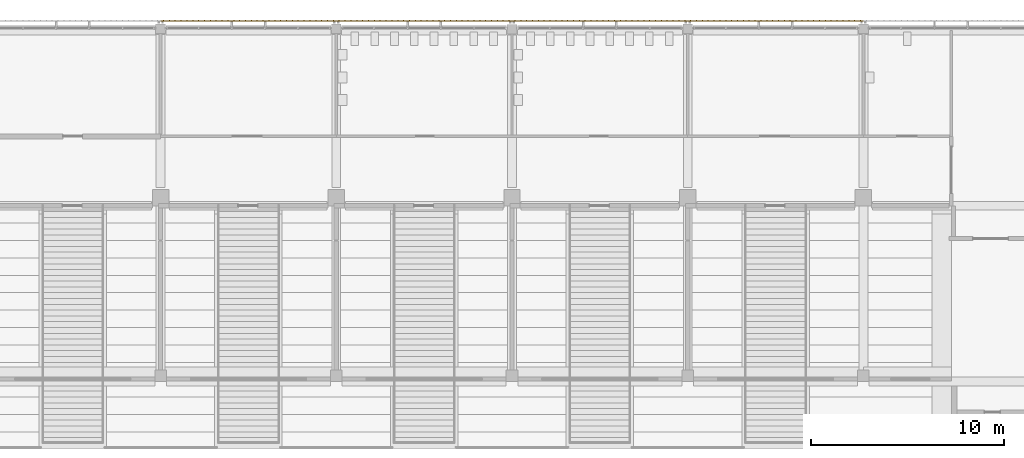
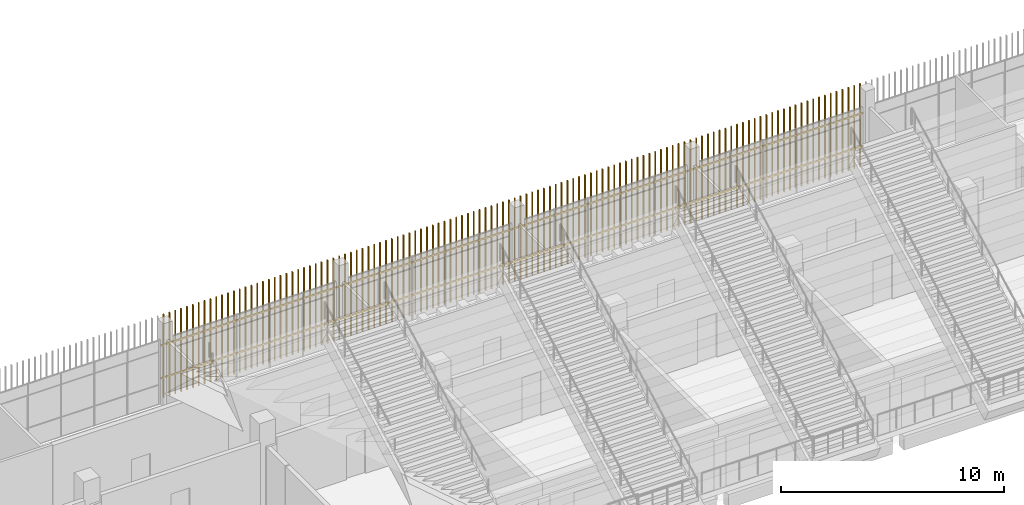
# One storey, part 128 of 139: 4 shading devices.
"""IFC4 building model written with IfcOpenShell, lengths in metres."""

from ifc_helpers import new_model, si_unit, direction, frame, origin, origin_2d, place, context, subcontext, project, spatial, rectangle, extrude, material, type_object, element, save


model = new_model("IFC4")

# Units and contexts
model_context = context("Model", 3, precision=1e-05, world=origin(), true_north=direction((0.0, 1.0)))
body_context = subcontext(model_context, "Body", "Model", "MODEL_VIEW")
ifc_project = project(units=[si_unit("LENGTHUNIT", "METRE"), si_unit("AREAUNIT", "SQUARE_METRE"), si_unit("VOLUMEUNIT", "CUBIC_METRE"), si_unit("PLANEANGLEUNIT", "RADIAN"), si_unit("MASSUNIT", "GRAM", prefix="KILO")], contexts=[model_context])

# Site, building, storey
site_placement = place(None, origin())
site = spatial("IfcSite", under=ifc_project, at=site_placement, CompositionType="ELEMENT")
building_placement = place(site_placement, origin())
building = spatial("IfcBuilding", under=site, at=building_placement, Name="Shirokan Park Arena", CompositionType="ELEMENT")
storey_placement = place(building_placement, frame((0.0, 0.0, 15.469970703125)))
storey = spatial("IfcBuildingStorey", under=building, at=storey_placement, Name="L03", CompositionType="ELEMENT", Elevation=15.469970703125)

# Shading devices
ifc_material = material(Name="Timber louvre veil (cedar)", Category="wood")
shading_device_type = type_object("IfcShadingDeviceType", Name="Timber louvre veil panel", PredefinedType="JALOUSIE", material=ifc_material)
shading_device_1_placement = place(storey_placement, origin())
element("IfcShadingDevice", 1, at=shading_device_1_placement, inside=storey, type_object=shading_device_type, Name="Timber louvre veil north bay 6 L03", PredefinedType="JALOUSIE", context=body_context, shape_type="SweptSolid", body=[
    extrude(rectangle(XDim=0.050048828125, YDim=0.080078125, at=origin_2d()), frame((99.9482421875, 109.68505859375, 0.0), z_axis=(0.0, 0.0, 1.0), x_axis=(-1.0, 0.0, 0.0)), (0.0, 0.0, 1.0), 4.550048828125),
    extrude(rectangle(XDim=0.050048828125, YDim=0.080078125, at=origin_2d()), frame((99.64501953125, 109.68505859375, 0.0), z_axis=(0.0, 0.0, 1.0), x_axis=(-1.0, 0.0, 0.0)), (0.0, 0.0, 1.0), 4.550048828125),
    extrude(rectangle(XDim=0.050048828125, YDim=0.080078125, at=origin_2d()), frame((99.341552734375, 109.68505859375, 0.0), z_axis=(0.0, 0.0, 1.0), x_axis=(-1.0, 0.0, 0.0)), (0.0, 0.0, 1.0), 4.550048828125),
    extrude(rectangle(XDim=0.050048828125, YDim=0.080078125, at=origin_2d()), frame((99.038330078125, 109.68505859375, 0.0), z_axis=(0.0, 0.0, 1.0), x_axis=(-1.0, 0.0, 0.0)), (0.0, 0.0, 1.0), 4.550048828125),
    extrude(rectangle(XDim=0.050048828125, YDim=0.080078125, at=origin_2d()), frame((98.735107421875, 109.68505859375, 0.0), z_axis=(0.0, 0.0, 1.0), x_axis=(-1.0, 0.0, 0.0)), (0.0, 0.0, 1.0), 4.550048828125),
    extrude(rectangle(XDim=0.050048828125, YDim=0.080078125, at=origin_2d()), frame((98.431640625, 109.68505859375, 0.0), z_axis=(0.0, 0.0, 1.0), x_axis=(-1.0, 0.0, 0.0)), (0.0, 0.0, 1.0), 4.550048828125),
    extrude(rectangle(XDim=0.050048828125, YDim=0.080078125, at=origin_2d()), frame((98.12841796875, 109.68505859375, 0.0), z_axis=(0.0, 0.0, 1.0), x_axis=(-1.0, 0.0, 0.0)), (0.0, 0.0, 1.0), 4.550048828125),
    extrude(rectangle(XDim=0.050048828125, YDim=0.080078125, at=origin_2d()), frame((97.824951171875, 109.68505859375, 0.0), z_axis=(0.0, 0.0, 1.0), x_axis=(-1.0, 0.0, 0.0)), (0.0, 0.0, 1.0), 4.550048828125),
    extrude(rectangle(XDim=0.050048828125, YDim=0.080078125, at=origin_2d()), frame((97.521728515625, 109.68505859375, 0.0), z_axis=(0.0, 0.0, 1.0), x_axis=(-1.0, 0.0, 0.0)), (0.0, 0.0, 1.0), 4.550048828125),
    extrude(rectangle(XDim=0.050048828125, YDim=0.080078125, at=origin_2d()), frame((97.21826171875, 109.68505859375, 0.0), z_axis=(0.0, 0.0, 1.0), x_axis=(-1.0, 0.0, 0.0)), (0.0, 0.0, 1.0), 4.550048828125),
    extrude(rectangle(XDim=0.050048828125, YDim=0.080078125, at=origin_2d()), frame((96.9150390625, 109.68505859375, 0.0), z_axis=(0.0, 0.0, 1.0), x_axis=(-1.0, 0.0, 0.0)), (0.0, 0.0, 1.0), 4.550048828125),
    extrude(rectangle(XDim=0.050048828125, YDim=0.080078125, at=origin_2d()), frame((96.611572265625, 109.68505859375, 0.0), z_axis=(0.0, 0.0, 1.0), x_axis=(-1.0, 0.0, 0.0)), (0.0, 0.0, 1.0), 4.550048828125),
    extrude(rectangle(XDim=0.050048828125, YDim=0.080078125, at=origin_2d()), frame((96.308349609375, 109.68505859375, 0.0), z_axis=(0.0, 0.0, 1.0), x_axis=(-1.0, 0.0, 0.0)), (0.0, 0.0, 1.0), 4.550048828125),
    extrude(rectangle(XDim=0.050048828125, YDim=0.080078125, at=origin_2d()), frame((96.0048828125, 109.68505859375, 0.0), z_axis=(0.0, 0.0, 1.0), x_axis=(-1.0, 0.0, 0.0)), (0.0, 0.0, 1.0), 4.550048828125),
    extrude(rectangle(XDim=0.050048828125, YDim=0.080078125, at=origin_2d()), frame((95.70166015625, 109.68505859375, 0.0), z_axis=(0.0, 0.0, 1.0), x_axis=(-1.0, 0.0, 0.0)), (0.0, 0.0, 1.0), 4.550048828125),
    extrude(rectangle(XDim=0.050048828125, YDim=0.080078125, at=origin_2d()), frame((95.3984375, 109.68505859375, 0.0), z_axis=(0.0, 0.0, 1.0), x_axis=(-1.0, 0.0, 0.0)), (0.0, 0.0, 1.0), 4.550048828125),
    extrude(rectangle(XDim=0.050048828125, YDim=0.080078125, at=origin_2d()), frame((95.094970703125, 109.68505859375, 0.0), z_axis=(0.0, 0.0, 1.0), x_axis=(-1.0, 0.0, 0.0)), (0.0, 0.0, 1.0), 4.550048828125),
    extrude(rectangle(XDim=0.050048828125, YDim=0.080078125, at=origin_2d()), frame((94.791748046875, 109.68505859375, 0.0), z_axis=(0.0, 0.0, 1.0), x_axis=(-1.0, 0.0, 0.0)), (0.0, 0.0, 1.0), 4.550048828125),
    extrude(rectangle(XDim=0.050048828125, YDim=0.080078125, at=origin_2d()), frame((94.48828125, 109.68505859375, 0.0), z_axis=(0.0, 0.0, 1.0), x_axis=(-1.0, 0.0, 0.0)), (0.0, 0.0, 1.0), 4.550048828125),
    extrude(rectangle(XDim=0.050048828125, YDim=0.080078125, at=origin_2d()), frame((94.18505859375, 109.68505859375, 0.0), z_axis=(0.0, 0.0, 1.0), x_axis=(-1.0, 0.0, 0.0)), (0.0, 0.0, 1.0), 4.550048828125),
    extrude(rectangle(XDim=0.050048828125, YDim=0.080078125, at=origin_2d()), frame((93.881591796875, 109.68505859375, 0.0), z_axis=(0.0, 0.0, 1.0), x_axis=(-1.0, 0.0, 0.0)), (0.0, 0.0, 1.0), 4.550048828125),
    extrude(rectangle(XDim=0.050048828125, YDim=0.080078125, at=origin_2d()), frame((93.578369140625, 109.68505859375, 0.0), z_axis=(0.0, 0.0, 1.0), x_axis=(-1.0, 0.0, 0.0)), (0.0, 0.0, 1.0), 4.550048828125),
    extrude(rectangle(XDim=0.050048828125, YDim=0.080078125, at=origin_2d()), frame((93.27490234375, 109.68505859375, 0.0), z_axis=(0.0, 0.0, 1.0), x_axis=(-1.0, 0.0, 0.0)), (0.0, 0.0, 1.0), 4.550048828125),
    extrude(rectangle(XDim=0.050048828125, YDim=0.080078125, at=origin_2d()), frame((92.9716796875, 109.68505859375, 0.0), z_axis=(0.0, 0.0, 1.0), x_axis=(-1.0, 0.0, 0.0)), (0.0, 0.0, 1.0), 4.550048828125),
    extrude(rectangle(XDim=0.050048828125, YDim=0.080078125, at=origin_2d()), frame((92.668212890625, 109.68505859375, 0.0), z_axis=(0.0, 0.0, 1.0), x_axis=(-1.0, 0.0, 0.0)), (0.0, 0.0, 1.0), 4.550048828125),
    extrude(rectangle(XDim=0.050048828125, YDim=0.080078125, at=origin_2d()), frame((92.364990234375, 109.68505859375, 0.0), z_axis=(0.0, 0.0, 1.0), x_axis=(-1.0, 0.0, 0.0)), (0.0, 0.0, 1.0), 4.550048828125),
    extrude(rectangle(XDim=0.050048828125, YDim=0.080078125, at=origin_2d()), frame((92.061767578125, 109.68505859375, 0.0), z_axis=(0.0, 0.0, 1.0), x_axis=(-1.0, 0.0, 0.0)), (0.0, 0.0, 1.0), 4.550048828125),
    extrude(rectangle(XDim=0.050048828125, YDim=0.080078125, at=origin_2d()), frame((91.75830078125, 109.68505859375, 0.0), z_axis=(0.0, 0.0, 1.0), x_axis=(-1.0, 0.0, 0.0)), (0.0, 0.0, 1.0), 4.550048828125),
    extrude(rectangle(XDim=0.050048828125, YDim=0.080078125, at=origin_2d()), frame((91.455078125, 109.68505859375, 0.0), z_axis=(0.0, 0.0, 1.0), x_axis=(-1.0, 0.0, 0.0)), (0.0, 0.0, 1.0), 4.550048828125),
    extrude(rectangle(XDim=0.050048828125, YDim=0.080078125, at=origin_2d()), frame((91.151611328125, 109.68505859375, 0.0), z_axis=(0.0, 0.0, 1.0), x_axis=(-1.0, 0.0, 0.0)), (0.0, 0.0, 1.0), 4.550048828125),
    extrude(rectangle(XDim=9.10009765625, YDim=0.050048828125, at=origin_2d()), frame((95.550048828125, 109.669921875, 1.06005859375), z_axis=(0.0, 0.0, 1.0), x_axis=(-1.0, 0.0, 0.0)), (0.0, 0.0, 1.0), 0.080078125),
    extrude(rectangle(XDim=9.10009765625, YDim=0.050048828125, at=origin_2d()), frame((95.550048828125, 109.669921875, 2.860107421875), z_axis=(0.0, 0.0, 1.0), x_axis=(-1.0, 0.0, 0.0)), (0.0, 0.0, 1.0), 0.080078125),
])
shading_device_2_placement = place(storey_placement, origin())
element("IfcShadingDevice", 2, at=shading_device_2_placement, inside=storey, type_object=shading_device_type, Name="Timber louvre veil north bay 7 L03", PredefinedType="JALOUSIE", context=body_context, shape_type="SweptSolid", body=[
    extrude(rectangle(XDim=0.050048828125, YDim=0.080078125, at=origin_2d()), frame((90.848388671875, 109.68505859375, 0.0), z_axis=(0.0, 0.0, 1.0), x_axis=(-1.0, 0.0, 0.0)), (0.0, 0.0, 1.0), 4.550048828125),
    extrude(rectangle(XDim=0.050048828125, YDim=0.080078125, at=origin_2d()), frame((90.544921875, 109.68505859375, 0.0), z_axis=(0.0, 0.0, 1.0), x_axis=(-1.0, 0.0, 0.0)), (0.0, 0.0, 1.0), 4.550048828125),
    extrude(rectangle(XDim=0.050048828125, YDim=0.080078125, at=origin_2d()), frame((90.24169921875, 109.68505859375, 0.0), z_axis=(0.0, 0.0, 1.0), x_axis=(-1.0, 0.0, 0.0)), (0.0, 0.0, 1.0), 4.550048828125),
    extrude(rectangle(XDim=0.050048828125, YDim=0.080078125, at=origin_2d()), frame((89.938232421875, 109.68505859375, 0.0), z_axis=(0.0, 0.0, 1.0), x_axis=(-1.0, 0.0, 0.0)), (0.0, 0.0, 1.0), 4.550048828125),
    extrude(rectangle(XDim=0.050048828125, YDim=0.080078125, at=origin_2d()), frame((89.635009765625, 109.68505859375, 0.0), z_axis=(0.0, 0.0, 1.0), x_axis=(-1.0, 0.0, 0.0)), (0.0, 0.0, 1.0), 4.550048828125),
    extrude(rectangle(XDim=0.050048828125, YDim=0.080078125, at=origin_2d()), frame((89.331787109375, 109.68505859375, 0.0), z_axis=(0.0, 0.0, 1.0), x_axis=(-1.0, 0.0, 0.0)), (0.0, 0.0, 1.0), 4.550048828125),
    extrude(rectangle(XDim=0.050048828125, YDim=0.080078125, at=origin_2d()), frame((89.0283203125, 109.68505859375, 0.0), z_axis=(0.0, 0.0, 1.0), x_axis=(-1.0, 0.0, 0.0)), (0.0, 0.0, 1.0), 4.550048828125),
    extrude(rectangle(XDim=0.050048828125, YDim=0.080078125, at=origin_2d()), frame((88.72509765625, 109.68505859375, 0.0), z_axis=(0.0, 0.0, 1.0), x_axis=(-1.0, 0.0, 0.0)), (0.0, 0.0, 1.0), 4.550048828125),
    extrude(rectangle(XDim=0.050048828125, YDim=0.080078125, at=origin_2d()), frame((88.421630859375, 109.68505859375, 0.0), z_axis=(0.0, 0.0, 1.0), x_axis=(-1.0, 0.0, 0.0)), (0.0, 0.0, 1.0), 4.550048828125),
    extrude(rectangle(XDim=0.050048828125, YDim=0.080078125, at=origin_2d()), frame((88.118408203125, 109.68505859375, 0.0), z_axis=(0.0, 0.0, 1.0), x_axis=(-1.0, 0.0, 0.0)), (0.0, 0.0, 1.0), 4.550048828125),
    extrude(rectangle(XDim=0.050048828125, YDim=0.080078125, at=origin_2d()), frame((87.81494140625, 109.68505859375, 0.0), z_axis=(0.0, 0.0, 1.0), x_axis=(-1.0, 0.0, 0.0)), (0.0, 0.0, 1.0), 4.550048828125),
    extrude(rectangle(XDim=0.050048828125, YDim=0.080078125, at=origin_2d()), frame((87.51171875, 109.68505859375, 0.0), z_axis=(0.0, 0.0, 1.0), x_axis=(-1.0, 0.0, 0.0)), (0.0, 0.0, 1.0), 4.550048828125),
    extrude(rectangle(XDim=0.050048828125, YDim=0.080078125, at=origin_2d()), frame((87.208251953125, 109.68505859375, 0.0), z_axis=(0.0, 0.0, 1.0), x_axis=(-1.0, 0.0, 0.0)), (0.0, 0.0, 1.0), 4.550048828125),
    extrude(rectangle(XDim=0.050048828125, YDim=0.080078125, at=origin_2d()), frame((86.905029296875, 109.68505859375, 0.0), z_axis=(0.0, 0.0, 1.0), x_axis=(-1.0, 0.0, 0.0)), (0.0, 0.0, 1.0), 4.550048828125),
    extrude(rectangle(XDim=0.050048828125, YDim=0.080078125, at=origin_2d()), frame((86.6015625, 109.68505859375, 0.0), z_axis=(0.0, 0.0, 1.0), x_axis=(-1.0, 0.0, 0.0)), (0.0, 0.0, 1.0), 4.550048828125),
    extrude(rectangle(XDim=0.050048828125, YDim=0.080078125, at=origin_2d()), frame((86.29833984375, 109.68505859375, 0.0), z_axis=(0.0, 0.0, 1.0), x_axis=(-1.0, 0.0, 0.0)), (0.0, 0.0, 1.0), 4.550048828125),
    extrude(rectangle(XDim=0.050048828125, YDim=0.080078125, at=origin_2d()), frame((85.9951171875, 109.68505859375, 0.0), z_axis=(0.0, 0.0, 1.0), x_axis=(-1.0, 0.0, 0.0)), (0.0, 0.0, 1.0), 4.550048828125),
    extrude(rectangle(XDim=0.050048828125, YDim=0.080078125, at=origin_2d()), frame((85.691650390625, 109.68505859375, 0.0), z_axis=(0.0, 0.0, 1.0), x_axis=(-1.0, 0.0, 0.0)), (0.0, 0.0, 1.0), 4.550048828125),
    extrude(rectangle(XDim=0.050048828125, YDim=0.080078125, at=origin_2d()), frame((85.388427734375, 109.68505859375, 0.0), z_axis=(0.0, 0.0, 1.0), x_axis=(-1.0, 0.0, 0.0)), (0.0, 0.0, 1.0), 4.550048828125),
    extrude(rectangle(XDim=0.050048828125, YDim=0.080078125, at=origin_2d()), frame((85.0849609375, 109.68505859375, 0.0), z_axis=(0.0, 0.0, 1.0), x_axis=(-1.0, 0.0, 0.0)), (0.0, 0.0, 1.0), 4.550048828125),
    extrude(rectangle(XDim=0.050048828125, YDim=0.080078125, at=origin_2d()), frame((84.78173828125, 109.68505859375, 0.0), z_axis=(0.0, 0.0, 1.0), x_axis=(-1.0, 0.0, 0.0)), (0.0, 0.0, 1.0), 4.550048828125),
    extrude(rectangle(XDim=0.050048828125, YDim=0.080078125, at=origin_2d()), frame((84.478271484375, 109.68505859375, 0.0), z_axis=(0.0, 0.0, 1.0), x_axis=(-1.0, 0.0, 0.0)), (0.0, 0.0, 1.0), 4.550048828125),
    extrude(rectangle(XDim=0.050048828125, YDim=0.080078125, at=origin_2d()), frame((84.175048828125, 109.68505859375, 0.0), z_axis=(0.0, 0.0, 1.0), x_axis=(-1.0, 0.0, 0.0)), (0.0, 0.0, 1.0), 4.550048828125),
    extrude(rectangle(XDim=0.050048828125, YDim=0.080078125, at=origin_2d()), frame((83.87158203125, 109.68505859375, 0.0), z_axis=(0.0, 0.0, 1.0), x_axis=(-1.0, 0.0, 0.0)), (0.0, 0.0, 1.0), 4.550048828125),
    extrude(rectangle(XDim=0.050048828125, YDim=0.080078125, at=origin_2d()), frame((83.568359375, 109.68505859375, 0.0), z_axis=(0.0, 0.0, 1.0), x_axis=(-1.0, 0.0, 0.0)), (0.0, 0.0, 1.0), 4.550048828125),
    extrude(rectangle(XDim=0.050048828125, YDim=0.080078125, at=origin_2d()), frame((83.264892578125, 109.68505859375, 0.0), z_axis=(0.0, 0.0, 1.0), x_axis=(-1.0, 0.0, 0.0)), (0.0, 0.0, 1.0), 4.550048828125),
    extrude(rectangle(XDim=0.050048828125, YDim=0.080078125, at=origin_2d()), frame((82.961669921875, 109.68505859375, 0.0), z_axis=(0.0, 0.0, 1.0), x_axis=(-1.0, 0.0, 0.0)), (0.0, 0.0, 1.0), 4.550048828125),
    extrude(rectangle(XDim=0.050048828125, YDim=0.080078125, at=origin_2d()), frame((82.658447265625, 109.68505859375, 0.0), z_axis=(0.0, 0.0, 1.0), x_axis=(-1.0, 0.0, 0.0)), (0.0, 0.0, 1.0), 4.550048828125),
    extrude(rectangle(XDim=0.050048828125, YDim=0.080078125, at=origin_2d()), frame((82.35498046875, 109.68505859375, 0.0), z_axis=(0.0, 0.0, 1.0), x_axis=(-1.0, 0.0, 0.0)), (0.0, 0.0, 1.0), 4.550048828125),
    extrude(rectangle(XDim=0.050048828125, YDim=0.080078125, at=origin_2d()), frame((82.0517578125, 109.68505859375, 0.0), z_axis=(0.0, 0.0, 1.0), x_axis=(-1.0, 0.0, 0.0)), (0.0, 0.0, 1.0), 4.550048828125),
    extrude(rectangle(XDim=9.10009765625, YDim=0.050048828125, at=origin_2d()), frame((86.449951171875, 109.669921875, 1.06005859375), z_axis=(0.0, 0.0, 1.0), x_axis=(-1.0, 0.0, 0.0)), (0.0, 0.0, 1.0), 0.080078125),
    extrude(rectangle(XDim=9.10009765625, YDim=0.050048828125, at=origin_2d()), frame((86.449951171875, 109.669921875, 2.860107421875), z_axis=(0.0, 0.0, 1.0), x_axis=(-1.0, 0.0, 0.0)), (0.0, 0.0, 1.0), 0.080078125),
])
shading_device_3_placement = place(storey_placement, origin())
element("IfcShadingDevice", 3, at=shading_device_3_placement, inside=storey, type_object=shading_device_type, Name="Timber louvre veil north bay 8 L03", PredefinedType="JALOUSIE", context=body_context, shape_type="SweptSolid", body=[
    extrude(rectangle(XDim=0.050048828125, YDim=0.080078125, at=origin_2d()), frame((81.748291015625, 109.68505859375, 0.0), z_axis=(0.0, 0.0, 1.0), x_axis=(-1.0, 0.0, 0.0)), (0.0, 0.0, 1.0), 4.550048828125),
    extrude(rectangle(XDim=0.050048828125, YDim=0.080078125, at=origin_2d()), frame((81.445068359375, 109.68505859375, 0.0), z_axis=(0.0, 0.0, 1.0), x_axis=(-1.0, 0.0, 0.0)), (0.0, 0.0, 1.0), 4.550048828125),
    extrude(rectangle(XDim=0.050048828125, YDim=0.080078125, at=origin_2d()), frame((81.1416015625, 109.68505859375, 0.0), z_axis=(0.0, 0.0, 1.0), x_axis=(-1.0, 0.0, 0.0)), (0.0, 0.0, 1.0), 4.550048828125),
    extrude(rectangle(XDim=0.050048828125, YDim=0.080078125, at=origin_2d()), frame((80.83837890625, 109.68505859375, 0.0), z_axis=(0.0, 0.0, 1.0), x_axis=(-1.0, 0.0, 0.0)), (0.0, 0.0, 1.0), 4.550048828125),
    extrude(rectangle(XDim=0.050048828125, YDim=0.080078125, at=origin_2d()), frame((80.534912109375, 109.68505859375, 0.0), z_axis=(0.0, 0.0, 1.0), x_axis=(-1.0, 0.0, 0.0)), (0.0, 0.0, 1.0), 4.550048828125),
    extrude(rectangle(XDim=0.050048828125, YDim=0.080078125, at=origin_2d()), frame((80.231689453125, 109.68505859375, 0.0), z_axis=(0.0, 0.0, 1.0), x_axis=(-1.0, 0.0, 0.0)), (0.0, 0.0, 1.0), 4.550048828125),
    extrude(rectangle(XDim=0.050048828125, YDim=0.080078125, at=origin_2d()), frame((79.92822265625, 109.68505859375, 0.0), z_axis=(0.0, 0.0, 1.0), x_axis=(-1.0, 0.0, 0.0)), (0.0, 0.0, 1.0), 4.550048828125),
    extrude(rectangle(XDim=0.050048828125, YDim=0.080078125, at=origin_2d()), frame((79.625, 109.68505859375, 0.0), z_axis=(0.0, 0.0, 1.0), x_axis=(-1.0, 0.0, 0.0)), (0.0, 0.0, 1.0), 4.550048828125),
    extrude(rectangle(XDim=0.050048828125, YDim=0.080078125, at=origin_2d()), frame((79.32177734375, 109.68505859375, 0.0), z_axis=(0.0, 0.0, 1.0), x_axis=(-1.0, 0.0, 0.0)), (0.0, 0.0, 1.0), 4.550048828125),
    extrude(rectangle(XDim=0.050048828125, YDim=0.080078125, at=origin_2d()), frame((79.018310546875, 109.68505859375, 0.0), z_axis=(0.0, 0.0, 1.0), x_axis=(-1.0, 0.0, 0.0)), (0.0, 0.0, 1.0), 4.550048828125),
    extrude(rectangle(XDim=0.050048828125, YDim=0.080078125, at=origin_2d()), frame((78.715087890625, 109.68505859375, 0.0), z_axis=(0.0, 0.0, 1.0), x_axis=(-1.0, 0.0, 0.0)), (0.0, 0.0, 1.0), 4.550048828125),
    extrude(rectangle(XDim=0.050048828125, YDim=0.080078125, at=origin_2d()), frame((78.41162109375, 109.68505859375, 0.0), z_axis=(0.0, 0.0, 1.0), x_axis=(-1.0, 0.0, 0.0)), (0.0, 0.0, 1.0), 4.550048828125),
    extrude(rectangle(XDim=0.050048828125, YDim=0.080078125, at=origin_2d()), frame((78.1083984375, 109.68505859375, 0.0), z_axis=(0.0, 0.0, 1.0), x_axis=(-1.0, 0.0, 0.0)), (0.0, 0.0, 1.0), 4.550048828125),
    extrude(rectangle(XDim=0.050048828125, YDim=0.080078125, at=origin_2d()), frame((77.804931640625, 109.68505859375, 0.0), z_axis=(0.0, 0.0, 1.0), x_axis=(-1.0, 0.0, 0.0)), (0.0, 0.0, 1.0), 4.550048828125),
    extrude(rectangle(XDim=0.050048828125, YDim=0.080078125, at=origin_2d()), frame((77.501708984375, 109.68505859375, 0.0), z_axis=(0.0, 0.0, 1.0), x_axis=(-1.0, 0.0, 0.0)), (0.0, 0.0, 1.0), 4.550048828125),
    extrude(rectangle(XDim=0.050048828125, YDim=0.080078125, at=origin_2d()), frame((77.1982421875, 109.68505859375, 0.0), z_axis=(0.0, 0.0, 1.0), x_axis=(-1.0, 0.0, 0.0)), (0.0, 0.0, 1.0), 4.550048828125),
    extrude(rectangle(XDim=0.050048828125, YDim=0.080078125, at=origin_2d()), frame((76.89501953125, 109.68505859375, 0.0), z_axis=(0.0, 0.0, 1.0), x_axis=(-1.0, 0.0, 0.0)), (0.0, 0.0, 1.0), 4.550048828125),
    extrude(rectangle(XDim=0.050048828125, YDim=0.080078125, at=origin_2d()), frame((76.591552734375, 109.68505859375, 0.0), z_axis=(0.0, 0.0, 1.0), x_axis=(-1.0, 0.0, 0.0)), (0.0, 0.0, 1.0), 4.550048828125),
    extrude(rectangle(XDim=0.050048828125, YDim=0.080078125, at=origin_2d()), frame((76.288330078125, 109.68505859375, 0.0), z_axis=(0.0, 0.0, 1.0), x_axis=(-1.0, 0.0, 0.0)), (0.0, 0.0, 1.0), 4.550048828125),
    extrude(rectangle(XDim=0.050048828125, YDim=0.080078125, at=origin_2d()), frame((75.985107421875, 109.68505859375, 0.0), z_axis=(0.0, 0.0, 1.0), x_axis=(-1.0, 0.0, 0.0)), (0.0, 0.0, 1.0), 4.550048828125),
    extrude(rectangle(XDim=0.050048828125, YDim=0.080078125, at=origin_2d()), frame((75.681640625, 109.68505859375, 0.0), z_axis=(0.0, 0.0, 1.0), x_axis=(-1.0, 0.0, 0.0)), (0.0, 0.0, 1.0), 4.550048828125),
    extrude(rectangle(XDim=0.050048828125, YDim=0.080078125, at=origin_2d()), frame((75.37841796875, 109.68505859375, 0.0), z_axis=(0.0, 0.0, 1.0), x_axis=(-1.0, 0.0, 0.0)), (0.0, 0.0, 1.0), 4.550048828125),
    extrude(rectangle(XDim=0.050048828125, YDim=0.080078125, at=origin_2d()), frame((75.074951171875, 109.68505859375, 0.0), z_axis=(0.0, 0.0, 1.0), x_axis=(-1.0, 0.0, 0.0)), (0.0, 0.0, 1.0), 4.550048828125),
    extrude(rectangle(XDim=0.050048828125, YDim=0.080078125, at=origin_2d()), frame((74.771728515625, 109.68505859375, 0.0), z_axis=(0.0, 0.0, 1.0), x_axis=(-1.0, 0.0, 0.0)), (0.0, 0.0, 1.0), 4.550048828125),
    extrude(rectangle(XDim=0.050048828125, YDim=0.080078125, at=origin_2d()), frame((74.46826171875, 109.68505859375, 0.0), z_axis=(0.0, 0.0, 1.0), x_axis=(-1.0, 0.0, 0.0)), (0.0, 0.0, 1.0), 4.550048828125),
    extrude(rectangle(XDim=0.050048828125, YDim=0.080078125, at=origin_2d()), frame((74.1650390625, 109.68505859375, 0.0), z_axis=(0.0, 0.0, 1.0), x_axis=(-1.0, 0.0, 0.0)), (0.0, 0.0, 1.0), 4.550048828125),
    extrude(rectangle(XDim=0.050048828125, YDim=0.080078125, at=origin_2d()), frame((73.861572265625, 109.68505859375, 0.0), z_axis=(0.0, 0.0, 1.0), x_axis=(-1.0, 0.0, 0.0)), (0.0, 0.0, 1.0), 4.550048828125),
    extrude(rectangle(XDim=0.050048828125, YDim=0.080078125, at=origin_2d()), frame((73.558349609375, 109.68505859375, 0.0), z_axis=(0.0, 0.0, 1.0), x_axis=(-1.0, 0.0, 0.0)), (0.0, 0.0, 1.0), 4.550048828125),
    extrude(rectangle(XDim=0.050048828125, YDim=0.080078125, at=origin_2d()), frame((73.2548828125, 109.68505859375, 0.0), z_axis=(0.0, 0.0, 1.0), x_axis=(-1.0, 0.0, 0.0)), (0.0, 0.0, 1.0), 4.550048828125),
    extrude(rectangle(XDim=0.050048828125, YDim=0.080078125, at=origin_2d()), frame((72.95166015625, 109.68505859375, 0.0), z_axis=(0.0, 0.0, 1.0), x_axis=(-1.0, 0.0, 0.0)), (0.0, 0.0, 1.0), 4.550048828125),
    extrude(rectangle(XDim=9.10009765625, YDim=0.050048828125, at=origin_2d()), frame((77.35009765625, 109.669921875, 1.06005859375), z_axis=(0.0, 0.0, 1.0), x_axis=(-1.0, 0.0, 0.0)), (0.0, 0.0, 1.0), 0.080078125),
    extrude(rectangle(XDim=9.10009765625, YDim=0.050048828125, at=origin_2d()), frame((77.35009765625, 109.669921875, 2.860107421875), z_axis=(0.0, 0.0, 1.0), x_axis=(-1.0, 0.0, 0.0)), (0.0, 0.0, 1.0), 0.080078125),
])
shading_device_4_placement = place(storey_placement, origin())
element("IfcShadingDevice", 4, at=shading_device_4_placement, inside=storey, type_object=shading_device_type, Name="Timber louvre veil north bay 9 L03", PredefinedType="JALOUSIE", context=body_context, shape_type="SweptSolid", body=[
    extrude(rectangle(XDim=0.050048828125, YDim=0.080078125, at=origin_2d()), frame((72.6484375, 109.68505859375, 0.0), z_axis=(0.0, 0.0, 1.0), x_axis=(-1.0, 0.0, 0.0)), (0.0, 0.0, 1.0), 4.550048828125),
    extrude(rectangle(XDim=0.050048828125, YDim=0.080078125, at=origin_2d()), frame((72.344970703125, 109.68505859375, 0.0), z_axis=(0.0, 0.0, 1.0), x_axis=(-1.0, 0.0, 0.0)), (0.0, 0.0, 1.0), 4.550048828125),
    extrude(rectangle(XDim=0.050048828125, YDim=0.080078125, at=origin_2d()), frame((72.041748046875, 109.68505859375, 0.0), z_axis=(0.0, 0.0, 1.0), x_axis=(-1.0, 0.0, 0.0)), (0.0, 0.0, 1.0), 4.550048828125),
    extrude(rectangle(XDim=0.050048828125, YDim=0.080078125, at=origin_2d()), frame((71.73828125, 109.68505859375, 0.0), z_axis=(0.0, 0.0, 1.0), x_axis=(-1.0, 0.0, 0.0)), (0.0, 0.0, 1.0), 4.550048828125),
    extrude(rectangle(XDim=0.050048828125, YDim=0.080078125, at=origin_2d()), frame((71.43505859375, 109.68505859375, 0.0), z_axis=(0.0, 0.0, 1.0), x_axis=(-1.0, 0.0, 0.0)), (0.0, 0.0, 1.0), 4.550048828125),
    extrude(rectangle(XDim=0.050048828125, YDim=0.080078125, at=origin_2d()), frame((71.131591796875, 109.68505859375, 0.0), z_axis=(0.0, 0.0, 1.0), x_axis=(-1.0, 0.0, 0.0)), (0.0, 0.0, 1.0), 4.550048828125),
    extrude(rectangle(XDim=0.050048828125, YDim=0.080078125, at=origin_2d()), frame((70.828369140625, 109.68505859375, 0.0), z_axis=(0.0, 0.0, 1.0), x_axis=(-1.0, 0.0, 0.0)), (0.0, 0.0, 1.0), 4.550048828125),
    extrude(rectangle(XDim=0.050048828125, YDim=0.080078125, at=origin_2d()), frame((70.52490234375, 109.68505859375, 0.0), z_axis=(0.0, 0.0, 1.0), x_axis=(-1.0, 0.0, 0.0)), (0.0, 0.0, 1.0), 4.550048828125),
    extrude(rectangle(XDim=0.050048828125, YDim=0.080078125, at=origin_2d()), frame((70.2216796875, 109.68505859375, 0.0), z_axis=(0.0, 0.0, 1.0), x_axis=(-1.0, 0.0, 0.0)), (0.0, 0.0, 1.0), 4.550048828125),
    extrude(rectangle(XDim=0.050048828125, YDim=0.080078125, at=origin_2d()), frame((69.918212890625, 109.68505859375, 0.0), z_axis=(0.0, 0.0, 1.0), x_axis=(-1.0, 0.0, 0.0)), (0.0, 0.0, 1.0), 4.550048828125),
    extrude(rectangle(XDim=0.050048828125, YDim=0.080078125, at=origin_2d()), frame((69.614990234375, 109.68505859375, 0.0), z_axis=(0.0, 0.0, 1.0), x_axis=(-1.0, 0.0, 0.0)), (0.0, 0.0, 1.0), 4.550048828125),
    extrude(rectangle(XDim=0.050048828125, YDim=0.080078125, at=origin_2d()), frame((69.311767578125, 109.68505859375, 0.0), z_axis=(0.0, 0.0, 1.0), x_axis=(-1.0, 0.0, 0.0)), (0.0, 0.0, 1.0), 4.550048828125),
    extrude(rectangle(XDim=0.050048828125, YDim=0.080078125, at=origin_2d()), frame((69.00830078125, 109.68505859375, 0.0), z_axis=(0.0, 0.0, 1.0), x_axis=(-1.0, 0.0, 0.0)), (0.0, 0.0, 1.0), 4.550048828125),
    extrude(rectangle(XDim=0.050048828125, YDim=0.080078125, at=origin_2d()), frame((68.705078125, 109.68505859375, 0.0), z_axis=(0.0, 0.0, 1.0), x_axis=(-1.0, 0.0, 0.0)), (0.0, 0.0, 1.0), 4.550048828125),
    extrude(rectangle(XDim=0.050048828125, YDim=0.080078125, at=origin_2d()), frame((68.401611328125, 109.68505859375, 0.0), z_axis=(0.0, 0.0, 1.0), x_axis=(-1.0, 0.0, 0.0)), (0.0, 0.0, 1.0), 4.550048828125),
    extrude(rectangle(XDim=0.050048828125, YDim=0.080078125, at=origin_2d()), frame((68.098388671875, 109.68505859375, 0.0), z_axis=(0.0, 0.0, 1.0), x_axis=(-1.0, 0.0, 0.0)), (0.0, 0.0, 1.0), 4.550048828125),
    extrude(rectangle(XDim=0.050048828125, YDim=0.080078125, at=origin_2d()), frame((67.794921875, 109.68505859375, 0.0), z_axis=(0.0, 0.0, 1.0), x_axis=(-1.0, 0.0, 0.0)), (0.0, 0.0, 1.0), 4.550048828125),
    extrude(rectangle(XDim=0.050048828125, YDim=0.080078125, at=origin_2d()), frame((67.49169921875, 109.68505859375, 0.0), z_axis=(0.0, 0.0, 1.0), x_axis=(-1.0, 0.0, 0.0)), (0.0, 0.0, 1.0), 4.550048828125),
    extrude(rectangle(XDim=0.050048828125, YDim=0.080078125, at=origin_2d()), frame((67.188232421875, 109.68505859375, 0.0), z_axis=(0.0, 0.0, 1.0), x_axis=(-1.0, 0.0, 0.0)), (0.0, 0.0, 1.0), 4.550048828125),
    extrude(rectangle(XDim=0.050048828125, YDim=0.080078125, at=origin_2d()), frame((66.885009765625, 109.68505859375, 0.0), z_axis=(0.0, 0.0, 1.0), x_axis=(-1.0, 0.0, 0.0)), (0.0, 0.0, 1.0), 4.550048828125),
    extrude(rectangle(XDim=0.050048828125, YDim=0.080078125, at=origin_2d()), frame((66.581787109375, 109.68505859375, 0.0), z_axis=(0.0, 0.0, 1.0), x_axis=(-1.0, 0.0, 0.0)), (0.0, 0.0, 1.0), 4.550048828125),
    extrude(rectangle(XDim=0.050048828125, YDim=0.080078125, at=origin_2d()), frame((66.2783203125, 109.68505859375, 0.0), z_axis=(0.0, 0.0, 1.0), x_axis=(-1.0, 0.0, 0.0)), (0.0, 0.0, 1.0), 4.550048828125),
    extrude(rectangle(XDim=0.050048828125, YDim=0.080078125, at=origin_2d()), frame((65.97509765625, 109.68505859375, 0.0), z_axis=(0.0, 0.0, 1.0), x_axis=(-1.0, 0.0, 0.0)), (0.0, 0.0, 1.0), 4.550048828125),
    extrude(rectangle(XDim=0.050048828125, YDim=0.080078125, at=origin_2d()), frame((65.671630859375, 109.68505859375, 0.0), z_axis=(0.0, 0.0, 1.0), x_axis=(-1.0, 0.0, 0.0)), (0.0, 0.0, 1.0), 4.550048828125),
    extrude(rectangle(XDim=0.050048828125, YDim=0.080078125, at=origin_2d()), frame((65.368408203125, 109.68505859375, 0.0), z_axis=(0.0, 0.0, 1.0), x_axis=(-1.0, 0.0, 0.0)), (0.0, 0.0, 1.0), 4.550048828125),
    extrude(rectangle(XDim=0.050048828125, YDim=0.080078125, at=origin_2d()), frame((65.06494140625, 109.68505859375, 0.0), z_axis=(0.0, 0.0, 1.0), x_axis=(-1.0, 0.0, 0.0)), (0.0, 0.0, 1.0), 4.550048828125),
    extrude(rectangle(XDim=0.050048828125, YDim=0.080078125, at=origin_2d()), frame((64.76171875, 109.68505859375, 0.0), z_axis=(0.0, 0.0, 1.0), x_axis=(-1.0, 0.0, 0.0)), (0.0, 0.0, 1.0), 4.550048828125),
    extrude(rectangle(XDim=0.050048828125, YDim=0.080078125, at=origin_2d()), frame((64.458251953125, 109.68505859375, 0.0), z_axis=(0.0, 0.0, 1.0), x_axis=(-1.0, 0.0, 0.0)), (0.0, 0.0, 1.0), 4.550048828125),
    extrude(rectangle(XDim=0.050048828125, YDim=0.080078125, at=origin_2d()), frame((64.155029296875, 109.68505859375, 0.0), z_axis=(0.0, 0.0, 1.0), x_axis=(-1.0, 0.0, 0.0)), (0.0, 0.0, 1.0), 4.550048828125),
    extrude(rectangle(XDim=0.050048828125, YDim=0.080078125, at=origin_2d()), frame((63.8515625, 109.68505859375, 0.0), z_axis=(0.0, 0.0, 1.0), x_axis=(-1.0, 0.0, 0.0)), (0.0, 0.0, 1.0), 4.550048828125),
    extrude(rectangle(XDim=9.10009765625, YDim=0.050048828125, at=origin_2d()), frame((68.25, 109.669921875, 1.06005859375), z_axis=(0.0, 0.0, 1.0), x_axis=(-1.0, 0.0, 0.0)), (0.0, 0.0, 1.0), 0.080078125),
    extrude(rectangle(XDim=9.10009765625, YDim=0.050048828125, at=origin_2d()), frame((68.25, 109.669921875, 2.860107421875), z_axis=(0.0, 0.0, 1.0), x_axis=(-1.0, 0.0, 0.0)), (0.0, 0.0, 1.0), 0.080078125),
])

save(model, "model.ifc")
